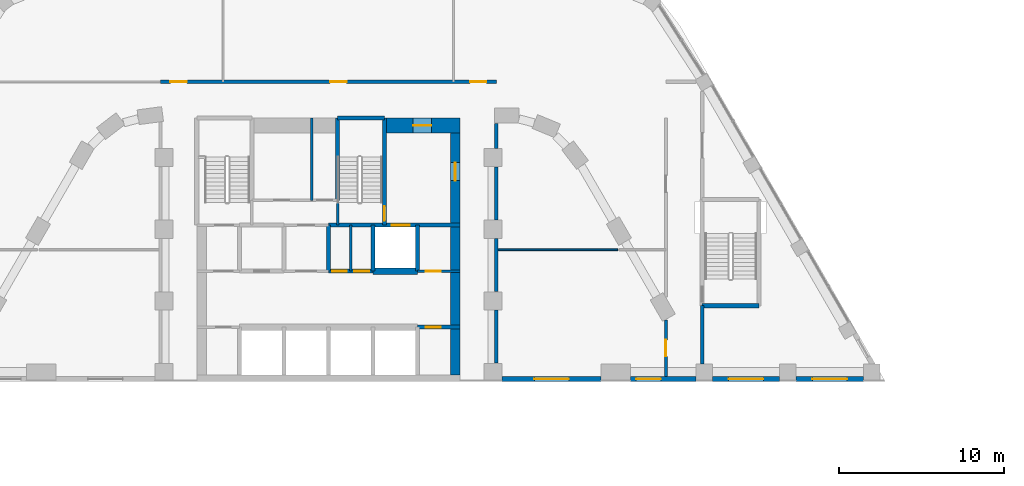
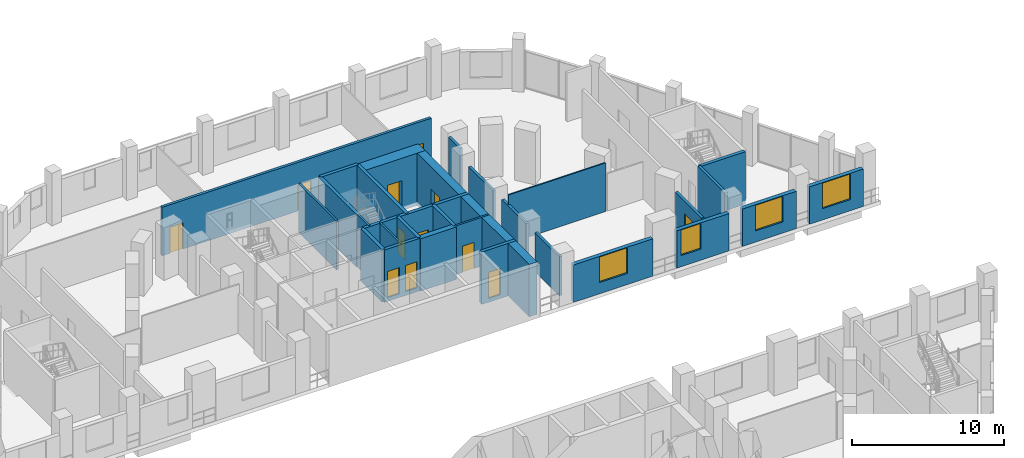
# One storey, part 21 of 33: 29 walls, 12 doors, 4 windows, 16 openings.
"""IFC4 building model written with IfcOpenShell, lengths in metres."""

from ifc_helpers import new_model, si_unit, direction, frame, frame_2d, origin, place, context, subcontext, project, spatial, rectangle, extrude, material, layer, layer_set, type_object, element, fill, save


model = new_model("IFC4")

# Units and contexts
model_context = context("Model", 3, precision=1e-05, world=origin(), true_north=direction((0.0, 1.0)))
body_context = subcontext(model_context, "Body", "Model", "MODEL_VIEW")
ifc_project = project(units=[si_unit("LENGTHUNIT", "METRE"), si_unit("AREAUNIT", "SQUARE_METRE"), si_unit("VOLUMEUNIT", "CUBIC_METRE"), si_unit("PLANEANGLEUNIT", "RADIAN"), si_unit("MASSUNIT", "GRAM", prefix="KILO")], contexts=[model_context])

# Site, building, storey
site_placement = place(None, origin())
site = spatial("IfcSite", under=ifc_project, at=site_placement, CompositionType="ELEMENT")
building_placement = place(site_placement, origin())
building = spatial("IfcBuilding", under=site, at=building_placement, Name="Nakaniwa Court", CompositionType="ELEMENT")
storey_placement = place(building_placement, frame((0.0, 0.0, 19.800048828125)))
storey = spatial("IfcBuildingStorey", under=building, at=storey_placement, Name="L04", CompositionType="ELEMENT", Elevation=19.800048828125)

# Wall
ifc_material_1 = material(Name="Acoustic double stud partition")
ifc_layer_1 = layer(ifc_material_1, 0.199951171875)
ifc_layer_set_1 = layer_set([ifc_layer_1], Name="Acoustic double stud partition")
wall_type_1 = type_object("IfcWallType", Name="Acoustic double stud partition 200", PredefinedType="PARTITIONING", material=ifc_layer_set_1)
wall_1_placement = place(storey_placement, frame((102.699951171875, 88.467041015625, 0.0), z_axis=(0.0, 0.0, 1.0), x_axis=(0.0, 1.0, 0.0)))
element("IfcWall", 1, at=wall_1_placement, inside=storey, type_object=wall_type_1, Name="Partition PW-081", PredefinedType="PARTITIONING", context=body_context, shape_type="SweptSolid", body=[
    extrude(rectangle(XDim=3.535888671875, YDim=0.199951171875, at=frame_2d((1.76806640625, 0.0))), origin(), (0.0, 0.0, 1.0), 3.89990234375),
])

# Wall, opening, door
wall_2_placement = place(storey_placement, frame((100.5, 87.699951171875, 0.0), z_axis=(0.0, 0.0, 1.0), x_axis=(0.0, 1.0, 0.0)))
wall_2 = element("IfcWall", 2, at=wall_2_placement, inside=storey, type_object=wall_type_1, Name="Partition PW-085", PredefinedType="PARTITIONING", context=body_context, shape_type="SweptSolid", body=[
    extrude(rectangle(XDim=3.44921875, YDim=0.199951171875, at=frame_2d((1.724609375, 0.0))), origin(), (0.0, 0.0, 1.0), 3.1298828125),
])
opening_1_placement = place(wall_2_placement, frame((1.222900390625, 0.0, 0.0)))
opening_1 = element("IfcOpeningElement", 3, at=opening_1_placement, cuts=wall_2, Name="Opening D-02-02", PredefinedType="OPENING", context=body_context, shape_type="SweptSolid", body=[
    extrude(rectangle(XDim=1.0, YDim=2.10009765625, at=frame_2d((0.5, 1.050048828125))), frame((0.0, 0.10986328125, 0.0), z_axis=(0.0, -1.0, 0.0), x_axis=(1.0, 0.0, 0.0)), (0.0, 0.0, 1.0), 0.219970703125),
])
ifc_material_2 = material(Name="Solid core timber door set, black veneer", Category="wood")
door_type_1 = type_object("IfcDoorType", Name="Internal door 1000", OperationType="NOTDEFINED", PredefinedType="DOOR", material=ifc_material_2)
door_1_placement = place(opening_1_placement, origin())
door_1 = element("IfcDoor", 4, at=door_1_placement, inside=storey, type_object=door_type_1, Name="Door D-02-02 L04-031", OperationType="SINGLE_SWING_RIGHT", OverallHeight=2.10009765625, OverallWidth=1.0, PredefinedType="DOOR", context=body_context, shape_type="SweptSolid", body=[
    extrude(rectangle(XDim=1.0, YDim=2.10009765625, at=frame_2d((0.5, 1.050048828125))), frame((0.0, 0.02490234375, 0.0), z_axis=(0.0, -1.0, 0.0), x_axis=(1.0, 0.0, 0.0)), (0.0, 0.0, 1.0), 0.050048828125),
])
fill(opening_1, door_1)

# Wall, openings, doors
wall_3_placement = place(storey_placement, frame((69.800048828125, 105.60009765625, 0.0), z_axis=(0.0, 0.0, 1.0), x_axis=(1.0, 0.0, 0.0)))
wall_3 = element("IfcWall", 5, at=wall_3_placement, inside=storey, type_object=wall_type_1, Name="Partition PW-088", PredefinedType="PARTITIONING", context=body_context, shape_type="SweptSolid", body=[
    extrude(rectangle(XDim=20.39990234375, YDim=0.199951171875, at=frame_2d((10.199951171875, 0.0))), origin(), (0.0, 0.0, 1.0), 3.89990234375),
])
opening_2_placement = place(wall_3_placement, frame((0.60205078125, 0.0, 0.0)))
opening_2 = element("IfcOpeningElement", 6, at=opening_2_placement, cuts=wall_3, Name="Opening D-02-06", PredefinedType="OPENING", context=body_context, shape_type="SweptSolid", body=[
    extrude(rectangle(XDim=1.0, YDim=2.10009765625, at=frame_2d((0.5, 1.050048828125))), frame((0.0, 0.10986328125, 0.0), z_axis=(0.0, -1.0, 0.0), x_axis=(1.0, 0.0, 0.0)), (0.0, 0.0, 1.0), 0.219970703125),
])
opening_3_placement = place(wall_3_placement, frame((18.800048828125, 0.0, 0.0)))
opening_3 = element("IfcOpeningElement", 7, at=opening_3_placement, cuts=wall_3, Name="Opening D-02-07", PredefinedType="OPENING", context=body_context, shape_type="SweptSolid", body=[
    extrude(rectangle(XDim=1.0, YDim=2.10009765625, at=frame_2d((0.5, 1.050048828125))), frame((0.0, 0.10986328125, 0.0), z_axis=(0.0, -1.0, 0.0), x_axis=(1.0, 0.0, 0.0)), (0.0, 0.0, 1.0), 0.219970703125),
])
opening_4_placement = place(wall_3_placement, frame((10.300048828125, 0.0, 0.0)))
opening_4 = element("IfcOpeningElement", 8, at=opening_4_placement, cuts=wall_3, Name="Opening D-02-08", PredefinedType="OPENING", context=body_context, shape_type="SweptSolid", body=[
    extrude(rectangle(XDim=1.0, YDim=2.10009765625, at=frame_2d((0.5, 1.050048828125))), frame((0.0, 0.10986328125, 0.0), z_axis=(0.0, -1.0, 0.0), x_axis=(1.0, 0.0, 0.0)), (0.0, 0.0, 1.0), 0.219970703125),
])
door_2_placement = place(opening_2_placement, origin())
door_2 = element("IfcDoor", 9, at=door_2_placement, inside=storey, type_object=door_type_1, Name="Door D-02-06 L04-035", OperationType="SINGLE_SWING_RIGHT", OverallHeight=2.10009765625, OverallWidth=1.0, PredefinedType="DOOR", context=body_context, shape_type="SweptSolid", body=[
    extrude(rectangle(XDim=1.0, YDim=2.10009765625, at=frame_2d((0.5, 1.050048828125))), frame((0.0, 0.02490234375, 0.0), z_axis=(0.0, -1.0, 0.0), x_axis=(1.0, 0.0, 0.0)), (0.0, 0.0, 1.0), 0.050048828125),
])
fill(opening_2, door_2)
door_3_placement = place(opening_3_placement, origin())
door_3 = element("IfcDoor", 10, at=door_3_placement, inside=storey, type_object=door_type_1, Name="Door D-02-07 L04-036", OperationType="SINGLE_SWING_LEFT", OverallHeight=2.10009765625, OverallWidth=1.0, PredefinedType="DOOR", context=body_context, shape_type="SweptSolid", body=[
    extrude(rectangle(XDim=1.0, YDim=2.10009765625, at=frame_2d((0.5, 1.050048828125))), frame((0.0, 0.02490234375, 0.0), z_axis=(0.0, -1.0, 0.0), x_axis=(1.0, 0.0, 0.0)), (0.0, 0.0, 1.0), 0.050048828125),
])
fill(opening_3, door_3)
door_4_placement = place(opening_4_placement, origin())
door_4 = element("IfcDoor", 11, at=door_4_placement, inside=storey, type_object=door_type_1, Name="Door D-02-08 L04-037", OperationType="SINGLE_SWING_RIGHT", OverallHeight=2.10009765625, OverallWidth=1.0, PredefinedType="DOOR", context=body_context, shape_type="SweptSolid", body=[
    extrude(rectangle(XDim=1.0, YDim=2.10009765625, at=frame_2d((0.5, 1.050048828125))), frame((0.0, 0.02490234375, 0.0), z_axis=(0.0, -1.0, 0.0), x_axis=(1.0, 0.0, 0.0)), (0.0, 0.0, 1.0), 0.050048828125),
])
fill(opening_4, door_4)

# Walls
wall_4_placement = place(storey_placement, frame((90.199951171875, 88.51708984375, 0.0), z_axis=(0.0, 0.0, 1.0), x_axis=(0.0, 1.0, 0.0)))
element("IfcWall", 12, at=wall_4_placement, inside=storey, type_object=wall_type_1, Name="Partition PW-104", PredefinedType="PARTITIONING", context=body_context, shape_type="SweptSolid", body=[
    extrude(rectangle(XDim=3.2158203125, YDim=0.199951171875, at=frame_2d((1.60791015625, 0.0))), origin(), (0.0, 0.0, 1.0), 3.1298828125),
])
for number, where, z_axis, x_axis, name in (
    (13, (90.199951171875, 92.866943359375, 0.0), (0.0, 0.0, 1.0), (0.0, 1.0, 0.0), "Partition PW-105"),
    (14, (90.199951171875, 97.217041015625, 0.0), (0.0, 0.0, 1.0), (0.0, 1.0, 0.0), "Partition PW-106"),
):
    element("IfcWall", number, at=place(storey_placement, frame(where, z_axis=z_axis, x_axis=x_axis)), inside=storey, type_object=wall_type_1, Name=name, PredefinedType="PARTITIONING", context=body_context, shape_type="SweptSolid", body=[
        extrude(rectangle(XDim=3.216064453125, YDim=0.199951171875, at=frame_2d((1.60791015625, 0.0))), origin(), (0.0, 0.0, 1.0), 3.1298828125),
    ])
wall_5_placement = place(storey_placement, frame((90.199951171875, 101.56689453125, 0.0), z_axis=(0.0, 0.0, 1.0), x_axis=(0.0, 1.0, 0.0)))
element("IfcWall", 15, at=wall_5_placement, inside=storey, type_object=wall_type_1, Name="Partition PW-107", PredefinedType="PARTITIONING", context=body_context, shape_type="SweptSolid", body=[
    extrude(rectangle(XDim=1.51611328125, YDim=0.199951171875, at=frame_2d((0.758056640625, 0.0))), origin(), (0.0, 0.0, 1.0), 3.89990234375),
])

# Wall, opening, window
ifc_material_3 = material(Name="Charcoal ceramic cladding")
ifc_layer_2 = layer(ifc_material_3, 0.02, Name="Ceramic cladding")
ifc_material_4 = material(Name="Ventilated air cavity")
ifc_layer_3 = layer(ifc_material_4, 0.04, ventilated=True, Name="Ventilated cavity")
ifc_material_5 = material(Name="Mineral wool insulation")
ifc_layer_4 = layer(ifc_material_5, 0.1, Name="Insulation")
ifc_material_6 = material(Name="Cement bonded sheathing board")
ifc_layer_5 = layer(ifc_material_6, 0.012, Name="Sheathing")
ifc_material_7 = material(Name="Cold-formed galvanised stud frame with mineral wool infill")
ifc_layer_6 = layer(ifc_material_7, 0.1, Name="Stud frame")
ifc_material_8 = material(Name="Fire-rated gypsum plasterboard lining")
ifc_layer_7 = layer(ifc_material_8, 0.028, Name="Lining")
ifc_layer_set_2 = layer_set([ifc_layer_2, ifc_layer_3, ifc_layer_4, ifc_layer_5, ifc_layer_6, ifc_layer_7], Name="Charcoal ceramic faced external wall system")
wall_type_2 = type_object("IfcWallType", Name="Black ceramic faced external wall 300", PredefinedType="SOLIDWALL", material=ifc_layer_set_2)
wall_6_placement = place(storey_placement, frame((90.5458984375, 87.550048828125, 0.0), z_axis=(0.0, 0.0, 1.0), x_axis=(1.0, 0.0, 0.0)))
wall_6 = element("IfcWall", 16, at=wall_6_placement, inside=storey, type_object=wall_type_2, Name="L04 external wall 35", PredefinedType="SOLIDWALL", context=body_context, shape_type="SweptSolid", body=[
    extrude(rectangle(XDim=6.01611328125, YDim=0.300048828125, at=frame_2d((3.008056640625, 0.0))), origin(), (0.0, 0.0, 1.0), 3.0),
])
opening_5_placement = place(wall_6_placement, frame((1.9580078125, 0.0, 0.89990234375)))
opening_5 = element("IfcOpeningElement", 17, at=opening_5_placement, cuts=wall_6, Name="Opening W2.29", PredefinedType="OPENING", context=body_context, shape_type="SweptSolid", body=[
    extrude(rectangle(XDim=2.10009765625, YDim=2.050048828125, at=frame_2d((1.050048828125, 1.02490234375))), frame((0.0, 0.159912109375, 0.0), z_axis=(0.0, -1.0, 0.0), x_axis=(1.0, 0.0, 0.0)), (0.0, 0.0, 1.0), 0.320068359375),
])
ifc_material_9 = material(Name="Black anodised aluminium frame with dark low-E laminated double glazing", Category="aluminium")
window_type_1 = type_object("IfcWindowType", Name="Dark glass window 2100x2050 sill 900", PartitioningType="SINGLE_PANEL", PredefinedType="WINDOW", material=ifc_material_9)
window_1_placement = place(opening_5_placement, origin())
window_1 = element("IfcWindow", 18, at=window_1_placement, inside=storey, type_object=window_type_1, Name="L04 habitable room window 35-0", OverallHeight=2.050048828125, OverallWidth=2.10009765625, PartitioningType="SINGLE_PANEL", PredefinedType="WINDOW", context=body_context, shape_type="SweptSolid", body=[
    extrude(rectangle(XDim=2.10009765625, YDim=2.050048828125, at=frame_2d((1.050048828125, 1.02490234375))), frame((0.0, 0.030029296875, 0.0), z_axis=(0.0, -1.0, 0.0), x_axis=(1.0, 0.0, 0.0)), (0.0, 0.0, 1.0), 0.06005859375),
])
fill(opening_5, window_1)

wall_7_placement = place(storey_placement, frame((98.35400390625, 87.550048828125, 0.0), z_axis=(0.0, 0.0, 1.0), x_axis=(1.0, 0.0, 0.0)))
wall_7 = element("IfcWall", 19, at=wall_7_placement, inside=storey, type_object=wall_type_2, Name="L04 external wall 36", PredefinedType="SOLIDWALL", context=body_context, shape_type="SweptSolid", body=[
    extrude(rectangle(XDim=3.972900390625, YDim=0.300048828125, at=frame_2d((1.986328125, 0.0))), origin(), (0.0, 0.0, 1.0), 3.0),
])
opening_6_placement = place(wall_7_placement, frame((0.3349609375, 0.0, 0.89990234375)))
opening_6 = element("IfcOpeningElement", 20, at=opening_6_placement, cuts=wall_7, Name="Opening W4.30", PredefinedType="OPENING", context=body_context, shape_type="SweptSolid", body=[
    extrude(rectangle(XDim=1.5, YDim=2.050048828125, at=frame_2d((0.75, 1.02490234375))), frame((0.0, 0.159912109375, 0.0), z_axis=(0.0, -1.0, 0.0), x_axis=(1.0, 0.0, 0.0)), (0.0, 0.0, 1.0), 0.320068359375),
])
window_type_2 = type_object("IfcWindowType", Name="Dark glass window 1500x2050 sill 900", PartitioningType="SINGLE_PANEL", PredefinedType="WINDOW", material=ifc_material_9)
window_2_placement = place(opening_6_placement, origin())
window_2 = element("IfcWindow", 21, at=window_2_placement, inside=storey, type_object=window_type_2, Name="L04 habitable room window 36-0", OverallHeight=2.050048828125, OverallWidth=1.5, PartitioningType="SINGLE_PANEL", PredefinedType="WINDOW", context=body_context, shape_type="SweptSolid", body=[
    extrude(rectangle(XDim=1.5, YDim=2.050048828125, at=frame_2d((0.75, 1.02490234375))), frame((0.0, 0.030029296875, 0.0), z_axis=(0.0, -1.0, 0.0), x_axis=(1.0, 0.0, 0.0)), (0.0, 0.0, 1.0), 0.06005859375),
])
fill(opening_6, window_2)

wall_8_placement = place(storey_placement, frame((103.319091796875, 87.550048828125, 0.0), z_axis=(0.0, 0.0, 1.0), x_axis=(1.0, 0.0, 0.0)))
wall_8 = element("IfcWall", 22, at=wall_8_placement, inside=storey, type_object=wall_type_2, Name="L04 external wall 37", PredefinedType="SOLIDWALL", context=body_context, shape_type="SweptSolid", body=[
    extrude(rectangle(XDim=4.093994140625, YDim=0.300048828125, at=frame_2d((2.046875, 0.0))), origin(), (0.0, 0.0, 1.0), 3.0),
])
opening_7_placement = place(wall_8_placement, frame((0.9970703125, 0.0, 0.89990234375)))
opening_7 = element("IfcOpeningElement", 23, at=opening_7_placement, cuts=wall_8, Name="Opening W2.31", PredefinedType="OPENING", context=body_context, shape_type="SweptSolid", body=[
    extrude(rectangle(XDim=2.10009765625, YDim=2.050048828125, at=frame_2d((1.050048828125, 1.02490234375))), frame((0.0, 0.159912109375, 0.0), z_axis=(0.0, -1.0, 0.0), x_axis=(1.0, 0.0, 0.0)), (0.0, 0.0, 1.0), 0.320068359375),
])
window_3_placement = place(opening_7_placement, origin())
window_3 = element("IfcWindow", 24, at=window_3_placement, inside=storey, type_object=window_type_1, Name="L04 habitable room window 37-0", OverallHeight=2.050048828125, OverallWidth=2.10009765625, PartitioningType="SINGLE_PANEL", PredefinedType="WINDOW", context=body_context, shape_type="SweptSolid", body=[
    extrude(rectangle(XDim=2.10009765625, YDim=2.050048828125, at=frame_2d((1.050048828125, 1.02490234375))), frame((0.0, 0.030029296875, 0.0), z_axis=(0.0, -1.0, 0.0), x_axis=(1.0, 0.0, 0.0)), (0.0, 0.0, 1.0), 0.06005859375),
])
fill(opening_7, window_3)

wall_9_placement = place(storey_placement, frame((108.405029296875, 87.550048828125, 0.0), z_axis=(0.0, 0.0, 1.0), x_axis=(1.0, 0.0, 0.0)))
wall_9 = element("IfcWall", 25, at=wall_9_placement, inside=storey, type_object=wall_type_2, Name="L04 external wall 38", PredefinedType="SOLIDWALL", context=body_context, shape_type="SweptSolid", body=[
    extrude(rectangle(XDim=4.094970703125, YDim=0.300048828125, at=frame_2d((2.04736328125, 0.0))), origin(), (0.0, 0.0, 1.0), 3.0),
])
opening_8_placement = place(wall_9_placement, frame((0.99755859375, 0.0, 0.89990234375)))
opening_8 = element("IfcOpeningElement", 26, at=opening_8_placement, cuts=wall_9, Name="Opening W2.32", PredefinedType="OPENING", context=body_context, shape_type="SweptSolid", body=[
    extrude(rectangle(XDim=2.10009765625, YDim=2.050048828125, at=frame_2d((1.050048828125, 1.02490234375))), frame((0.0, 0.159912109375, 0.0), z_axis=(0.0, -1.0, 0.0), x_axis=(1.0, 0.0, 0.0)), (0.0, 0.0, 1.0), 0.320068359375),
])
window_4_placement = place(opening_8_placement, origin())
window_4 = element("IfcWindow", 27, at=window_4_placement, inside=storey, type_object=window_type_1, Name="L04 habitable room window 38-0", OverallHeight=2.050048828125, OverallWidth=2.10009765625, PartitioningType="SINGLE_PANEL", PredefinedType="WINDOW", context=body_context, shape_type="SweptSolid", body=[
    extrude(rectangle(XDim=2.10009765625, YDim=2.050048828125, at=frame_2d((1.050048828125, 1.02490234375))), frame((0.0, 0.030029296875, 0.0), z_axis=(0.0, -1.0, 0.0), x_axis=(1.0, 0.0, 0.0)), (0.0, 0.0, 1.0), 0.06005859375),
])
fill(opening_8, window_4)

# Wall, opening, door
ifc_material_10 = material(Name="Blockwork partition", Category="masonry")
ifc_layer_8 = layer(ifc_material_10, 0.14990234375)
ifc_layer_set_3 = layer_set([ifc_layer_8], Name="Blockwork partition")
wall_type_3 = type_object("IfcWallType", Name="Blockwork partition 150", PredefinedType="PARTITIONING", material=ifc_layer_set_3)
wall_10_placement = place(storey_placement, frame((85.39697265625, 94.10009765625, 0.0), z_axis=(0.0, 0.0, 1.0), x_axis=(1.0, 0.0, 0.0)))
wall_10 = element("IfcWall", 28, at=wall_10_placement, inside=storey, type_object=wall_type_3, Name="Partition PW-018", PredefinedType="PARTITIONING", context=body_context, shape_type="SweptSolid", body=[
    extrude(rectangle(XDim=2.60302734375, YDim=0.14990234375, at=frame_2d((1.301513671875, 0.0))), origin(), (0.0, 0.0, 1.0), 3.89990234375),
])
opening_9_placement = place(wall_10_placement, frame((0.528076171875, 0.0, 0.0)))
opening_9 = element("IfcOpeningElement", 29, at=opening_9_placement, cuts=wall_10, Name="Opening D-05-06", PredefinedType="OPENING", context=body_context, shape_type="SweptSolid", body=[
    extrude(rectangle(XDim=0.89990234375, YDim=2.10009765625, at=frame_2d((0.449951171875, 1.050048828125))), frame((0.0, 0.0849609375, 0.0), z_axis=(0.0, -1.0, 0.0), x_axis=(1.0, 0.0, 0.0)), (0.0, 0.0, 1.0), 0.169921875),
])
ifc_material_11 = material(Name="Fire rated steel door set", Category="steel")
door_type_2 = type_object("IfcDoorType", Name="Service room door 900", OperationType="NOTDEFINED", PredefinedType="DOOR", material=ifc_material_11)
door_5_placement = place(opening_9_placement, origin())
door_5 = element("IfcDoor", 30, at=door_5_placement, inside=storey, type_object=door_type_2, Name="Door D-05-06 L04-008", OperationType="SINGLE_SWING_LEFT", OverallHeight=2.10009765625, OverallWidth=0.89990234375, PredefinedType="DOOR", context=body_context, shape_type="SweptSolid", body=[
    extrude(rectangle(XDim=0.89990234375, YDim=2.10009765625, at=frame_2d((0.449951171875, 1.050048828125))), frame((0.0, 0.02490234375, 0.0), z_axis=(0.0, -1.0, 0.0), x_axis=(1.0, 0.0, 0.0)), (0.0, 0.0, 1.0), 0.050048828125),
])
fill(opening_9, door_5)

# Walls
wall_11_placement = place(storey_placement, frame((81.35009765625, 94.10009765625, 0.0), z_axis=(0.0, 0.0, 1.0), x_axis=(0.0, 1.0, 0.0)))
element("IfcWall", 31, at=wall_11_placement, inside=storey, type_object=wall_type_3, Name="Partition PW-026", PredefinedType="PARTITIONING", context=body_context, shape_type="SweptSolid", body=[
    extrude(rectangle(XDim=2.7998046875, YDim=0.14990234375, at=frame_2d((1.39990234375, 0.0))), origin(), (0.0, 0.0, 1.0), 3.89990234375),
])
wall_12_placement = place(storey_placement, frame((78.989990234375, 98.39990234375, 0.0), z_axis=(0.0, 0.0, 1.0), x_axis=(0.0, 1.0, 0.0)))
element("IfcWall", 32, at=wall_12_placement, inside=storey, type_object=wall_type_3, Name="Partition PW-038", PredefinedType="PARTITIONING", context=body_context, shape_type="SweptSolid", body=[
    extrude(rectangle(XDim=5.0, YDim=0.14990234375, at=frame_2d((2.5, 0.0))), origin(), (0.0, 0.0, 1.0), 3.89990234375),
])

# Wall, opening, door
ifc_material_12 = material(Name="Concrete C100/115", Category="concrete")
ifc_layer_9 = layer(ifc_material_12, 0.60009765625)
ifc_layer_set_4 = layer_set([ifc_layer_9], Name="Concrete C100/115")
wall_type_4 = type_object("IfcWallType", Name="Concrete core side wall 600 C100", PredefinedType="SHEAR", material=ifc_layer_set_4)
wall_13_placement = place(storey_placement, frame((87.699951171875, 103.39990234375, -0.300048828125), z_axis=(0.0, 0.0, 1.0), x_axis=(0.0, -1.0, 0.0)))
wall_13 = element("IfcWall", 33, at=wall_13_placement, inside=storey, type_object=wall_type_4, Name="Core wall SW-15", PredefinedType="SHEAR", context=body_context, shape_type="SweptSolid", body=[
    extrude(rectangle(XDim=15.599853515625, YDim=0.60009765625, at=frame_2d((7.7998046875, 0.0))), origin(), (0.0, 0.0, 1.0), 4.199951171875),
])
opening_10_placement = place(wall_13_placement, frame((2.699951171875, 0.0, 0.300048828125)))
opening_10 = element("IfcOpeningElement", 34, at=opening_10_placement, cuts=wall_13, Name="Opening D-10-01", PredefinedType="OPENING", context=body_context, shape_type="SweptSolid", body=[
    extrude(rectangle(XDim=1.10009765625, YDim=2.10009765625, at=frame_2d((0.550048828125, 1.050048828125))), frame((0.0, 0.31005859375, 0.0), z_axis=(0.0, -1.0, 0.0), x_axis=(1.0, 0.0, 0.0)), (0.0, 0.0, 1.0), 0.6201171875),
])
door_type_3 = type_object("IfcDoorType", Name="Firefighting lobby door 1100", OperationType="NOTDEFINED", PredefinedType="DOOR", material=ifc_material_11)
door_6_placement = place(opening_10_placement, origin())
door_6 = element("IfcDoor", 35, at=door_6_placement, inside=storey, type_object=door_type_3, Name="Door D-10-01 L04-053", OperationType="SINGLE_SWING_RIGHT", OverallHeight=2.10009765625, OverallWidth=1.10009765625, PredefinedType="DOOR", context=body_context, shape_type="SweptSolid", body=[
    extrude(rectangle(XDim=1.10009765625, YDim=2.10009765625, at=frame_2d((0.550048828125, 1.050048828125))), frame((0.0, 0.02490234375, 0.0), z_axis=(0.0, -1.0, 0.0), x_axis=(1.0, 0.0, 0.0)), (0.0, 0.0, 1.0), 0.050048828125),
])
fill(opening_10, door_6)

# Walls
ifc_layer_10 = layer(ifc_material_12, 0.39990234375)
ifc_layer_set_5 = layer_set([ifc_layer_10], Name="Concrete C100/115")
wall_type_5 = type_object("IfcWallType", Name="Concrete core spine wall 400 C100", PredefinedType="SHEAR", material=ifc_layer_set_5)
wall_14_placement = place(storey_placement, frame((82.697021484375, 94.10009765625, -0.300048828125), z_axis=(0.0, 0.0, 1.0), x_axis=(1.0, 0.0, 0.0)))
element("IfcWall", 36, at=wall_14_placement, inside=storey, type_object=wall_type_5, Name="Core wall SW-21", PredefinedType="SHEAR", context=body_context, shape_type="SweptSolid", body=[
    extrude(rectangle(XDim=2.7060546875, YDim=0.39990234375, at=frame_2d((1.35302734375, 0.0))), origin(), (0.0, 0.0, 1.0), 4.199951171875),
])
ifc_layer_11 = layer(ifc_material_12, 0.14990234375)
ifc_layer_set_6 = layer_set([ifc_layer_11], Name="Concrete C100/115")
wall_type_6 = type_object("IfcWallType", Name="Concrete core wall 150 C100", PredefinedType="SHEAR", material=ifc_layer_set_6)
wall_15_placement = place(storey_placement, frame((80.550048828125, 96.89990234375, -0.300048828125), z_axis=(0.0, 0.0, 1.0), x_axis=(0.0, 1.0, 0.0)))
element("IfcWall", 37, at=wall_15_placement, inside=storey, type_object=wall_type_6, Name="Core wall SW-33", PredefinedType="SHEAR", context=body_context, shape_type="SweptSolid", body=[
    extrude(rectangle(XDim=1.503173828125, YDim=0.14990234375, at=frame_2d((0.75146484375, 0.0))), origin(), (0.0, 0.0, 1.0), 4.199951171875),
])
ifc_layer_12 = layer(ifc_material_12, 0.25)
ifc_layer_set_7 = layer_set([ifc_layer_12], Name="Concrete C100/115")
wall_type_7 = type_object("IfcWallType", Name="Concrete core wall 250 C100", PredefinedType="SHEAR", material=ifc_layer_set_7)
wall_16_placement = place(storey_placement, frame((80.550048828125, 103.39990234375, -0.300048828125), z_axis=(0.0, 0.0, 1.0), x_axis=(1.0, 0.0, 0.0)))
element("IfcWall", 38, at=wall_16_placement, inside=storey, type_object=wall_type_7, Name="Core wall SW-31", PredefinedType="SHEAR", context=body_context, shape_type="SweptSolid", body=[
    extrude(rectangle(XDim=2.849853515625, YDim=0.25, at=frame_2d((1.4248046875, 0.0))), origin(), (0.0, 0.0, 1.0), 4.199951171875),
])
wall_17_placement = place(storey_placement, frame((102.699951171875, 92.0, -0.300048828125), z_axis=(0.0, 0.0, 1.0), x_axis=(1.0, 0.0, 0.0)))
element("IfcWall", 39, at=wall_17_placement, inside=storey, type_object=wall_type_7, Name="Core wall SW-121", PredefinedType="SHEAR", context=body_context, shape_type="SweptSolid", body=[
    extrude(rectangle(XDim=3.449951171875, YDim=0.25, at=frame_2d((1.72509765625, 0.0))), origin(), (0.0, 0.0, 1.0), 4.199951171875),
])

# Wall, opening, door
ifc_layer_13 = layer(ifc_material_12, 0.89990234375)
ifc_layer_set_8 = layer_set([ifc_layer_13], Name="Concrete C100/115")
wall_type_8 = type_object("IfcWallType", Name="Concrete core wall 900 C100", PredefinedType="SHEAR", material=ifc_layer_set_8)
wall_18_placement = place(storey_placement, frame((83.39990234375, 102.949951171875, -0.300048828125), z_axis=(0.0, 0.0, 1.0), x_axis=(1.0, 0.0, 0.0)))
wall_18 = element("IfcWall", 40, at=wall_18_placement, inside=storey, type_object=wall_type_8, Name="Core wall SW-36", PredefinedType="SHEAR", context=body_context, shape_type="SweptSolid", body=[
    extrude(rectangle(XDim=4.60009765625, YDim=0.89990234375, at=frame_2d((2.300048828125, 0.0))), origin(), (0.0, 0.0, 1.0), 4.199951171875),
])
opening_11_placement = place(wall_18_placement, frame((1.748046875, 0.0, 0.300048828125)))
opening_11 = element("IfcOpeningElement", 41, at=opening_11_placement, cuts=wall_18, Name="Opening D-10-02", PredefinedType="OPENING", context=body_context, shape_type="SweptSolid", body=[
    extrude(rectangle(XDim=1.10009765625, YDim=2.10009765625, at=frame_2d((0.550048828125, 1.050048828125))), frame((0.0, 0.4599609375, 0.0), z_axis=(0.0, -1.0, 0.0), x_axis=(1.0, 0.0, 0.0)), (0.0, 0.0, 1.0), 0.919921875),
])
door_7_placement = place(opening_11_placement, origin())
door_7 = element("IfcDoor", 42, at=door_7_placement, inside=storey, type_object=door_type_3, Name="Door D-10-02 L04-054", OperationType="SINGLE_SWING_LEFT", OverallHeight=2.10009765625, OverallWidth=1.10009765625, PredefinedType="DOOR", context=body_context, shape_type="SweptSolid", body=[
    extrude(rectangle(XDim=1.10009765625, YDim=2.10009765625, at=frame_2d((0.550048828125, 1.050048828125))), frame((0.0, 0.02490234375, 0.0), z_axis=(0.0, -1.0, 0.0), x_axis=(1.0, 0.0, 0.0)), (0.0, 0.0, 1.0), 0.050048828125),
])
fill(opening_11, door_7)

# Walls
ifc_layer_14 = layer(ifc_material_12, 0.25)
ifc_layer_set_9 = layer_set([ifc_layer_14], Name="Concrete C100/115")
wall_type_9 = type_object("IfcWallType", Name="Concrete shaft wall 250 C100", PredefinedType="SHEAR", material=ifc_layer_set_9)
for number, where, z_axis, x_axis, name in (
    (43, (80.0, 94.10009765625, -0.300048828125), (0.0, 0.0, 1.0), (0.0, 1.0, 0.0), "Core wall SW-09"),
    (44, (82.699951171875, 94.10009765625, -0.300048828125), (0.0, 0.0, 1.0), (0.0, 1.0, 0.0), "Core wall SW-11"),
    (45, (85.39990234375, 94.10009765625, -0.300048828125), (0.0, 0.0, 1.0), (0.0, 1.0, 0.0), "Core wall SW-13"),
):
    element("IfcWall", number, at=place(storey_placement, frame(where, z_axis=z_axis, x_axis=x_axis)), inside=storey, type_object=wall_type_9, Name=name, PredefinedType="SHEAR", context=body_context, shape_type="SweptSolid", body=[
        extrude(rectangle(XDim=2.7998046875, YDim=0.25, at=frame_2d((1.39990234375, 0.0))), origin(), (0.0, 0.0, 1.0), 4.199951171875),
    ])

# Wall, opening, door
wall_19_placement = place(storey_placement, frame((88.0, 90.699951171875, -0.300048828125), z_axis=(0.0, 0.0, 1.0), x_axis=(-1.0, 0.0, 0.0)))
wall_19 = element("IfcWall", 46, at=wall_19_placement, inside=storey, type_object=wall_type_9, Name="Core wall SW-14", PredefinedType="SHEAR", context=body_context, shape_type="SweptSolid", body=[
    extrude(rectangle(XDim=2.60009765625, YDim=0.25, at=frame_2d((1.300048828125, 0.0))), origin(), (0.0, 0.0, 1.0), 4.199951171875),
])
opening_12_placement = place(wall_19_placement, frame((1.175048828125, 0.0, 0.300048828125)))
opening_12 = element("IfcOpeningElement", 47, at=opening_12_placement, cuts=wall_19, Name="Opening D-05-02", PredefinedType="OPENING", context=body_context, shape_type="SweptSolid", body=[
    extrude(rectangle(XDim=0.89990234375, YDim=2.10009765625, at=frame_2d((0.449951171875, 1.050048828125))), frame((0.0, 0.135009765625, 0.0), z_axis=(0.0, -1.0, 0.0), x_axis=(1.0, 0.0, 0.0)), (0.0, 0.0, 1.0), 0.27001953125),
])
door_8_placement = place(opening_12_placement, origin())
door_8 = element("IfcDoor", 48, at=door_8_placement, inside=storey, type_object=door_type_2, Name="Door D-05-02 L04-002", OperationType="SINGLE_SWING_LEFT", OverallHeight=2.10009765625, OverallWidth=0.89990234375, PredefinedType="DOOR", context=body_context, shape_type="SweptSolid", body=[
    extrude(rectangle(XDim=0.89990234375, YDim=2.10009765625, at=frame_2d((0.449951171875, 1.050048828125))), frame((0.0, 0.02490234375, 0.0), z_axis=(0.0, -1.0, 0.0), x_axis=(1.0, 0.0, 0.0)), (0.0, 0.0, 1.0), 0.050048828125),
])
fill(opening_12, door_8)

# Wall, openings, doors
wall_20_placement = place(storey_placement, frame((79.9970703125, 94.10009765625, -0.300048828125), z_axis=(0.0, 0.0, 1.0), x_axis=(1.0, 0.0, 0.0)))
wall_20 = element("IfcWall", 49, at=wall_20_placement, inside=storey, type_object=wall_type_9, Name="Core wall SW-20", PredefinedType="SHEAR", context=body_context, shape_type="SweptSolid", body=[
    extrude(rectangle(XDim=2.705810546875, YDim=0.25, at=frame_2d((1.35302734375, 0.0))), origin(), (0.0, 0.0, 1.0), 4.199951171875),
])
opening_13_placement = place(wall_20_placement, frame((0.22802734375, 0.0, 0.300048828125)))
opening_13 = element("IfcOpeningElement", 50, at=opening_13_placement, cuts=wall_20, Name="Opening D-05-04", PredefinedType="OPENING", context=body_context, shape_type="SweptSolid", body=[
    extrude(rectangle(XDim=0.89990234375, YDim=2.10009765625, at=frame_2d((0.449951171875, 1.050048828125))), frame((0.0, 0.135009765625, 0.0), z_axis=(0.0, -1.0, 0.0), x_axis=(1.0, 0.0, 0.0)), (0.0, 0.0, 1.0), 0.27001953125),
])
opening_14_placement = place(wall_20_placement, frame((1.577880859375, 0.0, 0.300048828125)))
opening_14 = element("IfcOpeningElement", 51, at=opening_14_placement, cuts=wall_20, Name="Opening D-05-05", PredefinedType="OPENING", context=body_context, shape_type="SweptSolid", body=[
    extrude(rectangle(XDim=0.89990234375, YDim=2.10009765625, at=frame_2d((0.449951171875, 1.050048828125))), frame((0.0, 0.135009765625, 0.0), z_axis=(0.0, -1.0, 0.0), x_axis=(1.0, 0.0, 0.0)), (0.0, 0.0, 1.0), 0.27001953125),
])
door_9_placement = place(opening_13_placement, origin())
door_9 = element("IfcDoor", 52, at=door_9_placement, inside=storey, type_object=door_type_2, Name="Door D-05-04 L04-006", OperationType="SINGLE_SWING_LEFT", OverallHeight=2.10009765625, OverallWidth=0.89990234375, PredefinedType="DOOR", context=body_context, shape_type="SweptSolid", body=[
    extrude(rectangle(XDim=0.89990234375, YDim=2.10009765625, at=frame_2d((0.449951171875, 1.050048828125))), frame((0.0, 0.02490234375, 0.0), z_axis=(0.0, -1.0, 0.0), x_axis=(1.0, 0.0, 0.0)), (0.0, 0.0, 1.0), 0.050048828125),
])
fill(opening_13, door_9)
door_10_placement = place(opening_14_placement, origin())
door_10 = element("IfcDoor", 53, at=door_10_placement, inside=storey, type_object=door_type_2, Name="Door D-05-05 L04-007", OperationType="SINGLE_SWING_RIGHT", OverallHeight=2.10009765625, OverallWidth=0.89990234375, PredefinedType="DOOR", context=body_context, shape_type="SweptSolid", body=[
    extrude(rectangle(XDim=0.89990234375, YDim=2.10009765625, at=frame_2d((0.449951171875, 1.050048828125))), frame((0.0, 0.02490234375, 0.0), z_axis=(0.0, -1.0, 0.0), x_axis=(1.0, 0.0, 0.0)), (0.0, 0.0, 1.0), 0.050048828125),
])
fill(opening_14, door_10)

# Wall, opening, door
wall_21_placement = place(storey_placement, frame((80.0, 96.89990234375, -0.300048828125), z_axis=(0.0, 0.0, 1.0), x_axis=(1.0, 0.0, 0.0)))
wall_21 = element("IfcWall", 54, at=wall_21_placement, inside=storey, type_object=wall_type_9, Name="Core wall SW-24", PredefinedType="SHEAR", context=body_context, shape_type="SweptSolid", body=[
    extrude(rectangle(XDim=8.0, YDim=0.25, at=frame_2d((4.0, 0.0))), origin(), (0.0, 0.0, 1.0), 4.199951171875),
])
opening_15_placement = place(wall_21_placement, frame((3.84912109375, 0.0, 0.300048828125)))
opening_15 = element("IfcOpeningElement", 55, at=opening_15_placement, cuts=wall_21, Name="Opening LD01", PredefinedType="OPENING", context=body_context, shape_type="SweptSolid", body=[
    extrude(rectangle(XDim=1.10009765625, YDim=2.10009765625, at=frame_2d((0.550048828125, 1.050048828125))), frame((0.0, 0.135009765625, 0.0), z_axis=(0.0, -1.0, 0.0), x_axis=(1.0, 0.0, 0.0)), (0.0, 0.0, 1.0), 0.27001953125),
])
ifc_material_13 = material(Name="Stainless steel sliding lift landing door", Category="steel")
door_type_4 = type_object("IfcDoorType", Name="Lift landing door 1100", OperationType="NOTDEFINED", PredefinedType="DOOR", material=ifc_material_13)
door_11_placement = place(opening_15_placement, origin())
door_11 = element("IfcDoor", 56, at=door_11_placement, inside=storey, type_object=door_type_4, Name="Lift landing door LD01 L04-001", OperationType="SLIDING_TO_LEFT", OverallHeight=2.10009765625, OverallWidth=1.10009765625, PredefinedType="DOOR", context=body_context, shape_type="SweptSolid", body=[
    extrude(rectangle(XDim=1.10009765625, YDim=2.10009765625, at=frame_2d((0.550048828125, 1.050048828125))), frame((0.0, 0.02490234375, 0.0), z_axis=(0.0, -1.0, 0.0), x_axis=(1.0, 0.0, 0.0)), (0.0, 0.0, 1.0), 0.050048828125),
])
fill(opening_15, door_11)

wall_22_placement = place(storey_placement, frame((83.39990234375, 103.39990234375, -0.300048828125), z_axis=(0.0, 0.0, 1.0), x_axis=(0.0, -1.0, 0.0)))
wall_22 = element("IfcWall", 57, at=wall_22_placement, inside=storey, type_object=wall_type_9, Name="Core wall SW-32", PredefinedType="SHEAR", context=body_context, shape_type="SweptSolid", body=[
    extrude(rectangle(XDim=6.5, YDim=0.25, at=frame_2d((3.25, 0.0))), origin(), (0.0, 0.0, 1.0), 4.199951171875),
])
opening_16_placement = place(wall_22_placement, frame((5.35009765625, 0.0, 0.300048828125)))
opening_16 = element("IfcOpeningElement", 58, at=opening_16_placement, cuts=wall_22, Name="Opening D-11-01", PredefinedType="OPENING", context=body_context, shape_type="SweptSolid", body=[
    extrude(rectangle(XDim=0.89990234375, YDim=2.10009765625, at=frame_2d((0.449951171875, 1.050048828125))), frame((0.0, 0.135009765625, 0.0), z_axis=(0.0, -1.0, 0.0), x_axis=(1.0, 0.0, 0.0)), (0.0, 0.0, 1.0), 0.27001953125),
])
door_type_5 = type_object("IfcDoorType", Name="Stair door 900", OperationType="NOTDEFINED", PredefinedType="DOOR", material=ifc_material_11)
door_12_placement = place(opening_16_placement, origin())
door_12 = element("IfcDoor", 59, at=door_12_placement, inside=storey, type_object=door_type_5, Name="Door D-11-01 L04-013", OperationType="SINGLE_SWING_LEFT", OverallHeight=2.10009765625, OverallWidth=0.89990234375, PredefinedType="DOOR", context=body_context, shape_type="SweptSolid", body=[
    extrude(rectangle(XDim=0.89990234375, YDim=2.10009765625, at=frame_2d((0.449951171875, 1.050048828125))), frame((0.0, 0.02490234375, 0.0), z_axis=(0.0, -1.0, 0.0), x_axis=(1.0, 0.0, 0.0)), (0.0, 0.0, 1.0), 0.050048828125),
])
fill(opening_16, door_12)

# Walls
wall_23_placement = place(storey_placement, frame((80.550048828125, 98.39697265625, -0.300048828125), z_axis=(0.0, 0.0, 1.0), x_axis=(0.0, 1.0, 0.0)))
element("IfcWall", 60, at=wall_23_placement, inside=storey, type_object=wall_type_9, Name="Core wall SW-34", PredefinedType="SHEAR", context=body_context, shape_type="SweptSolid", body=[
    extrude(rectangle(XDim=5.0029296875, YDim=0.25, at=frame_2d((2.50146484375, 0.0))), origin(), (0.0, 0.0, 1.0), 4.199951171875),
])
ifc_material_14 = material(Name="Single stud plasterboard partition")
ifc_layer_15 = layer(ifc_material_14, 0.10009765625)
ifc_layer_set_10 = layer_set([ifc_layer_15], Name="Single stud plasterboard partition")
wall_type_10 = type_object("IfcWallType", Name="Single stud plasterboard partition 100", PredefinedType="PARTITIONING", material=ifc_layer_set_10)
wall_24_placement = place(storey_placement, frame((90.199951171875, 95.39990234375, 0.0), z_axis=(0.0, 0.0, 1.0), x_axis=(1.0, 0.0, 0.0)))
element("IfcWall", 61, at=wall_24_placement, inside=storey, type_object=wall_type_10, Name="Partition PW-126", PredefinedType="PARTITIONING", context=body_context, shape_type="SweptSolid", body=[
    extrude(rectangle(XDim=7.366455078125, YDim=0.10009765625, at=frame_2d((3.68310546875, 0.0))), origin(), (0.0, 0.0, 1.0), 3.89990234375),
])

save(model, "model.ifc")
